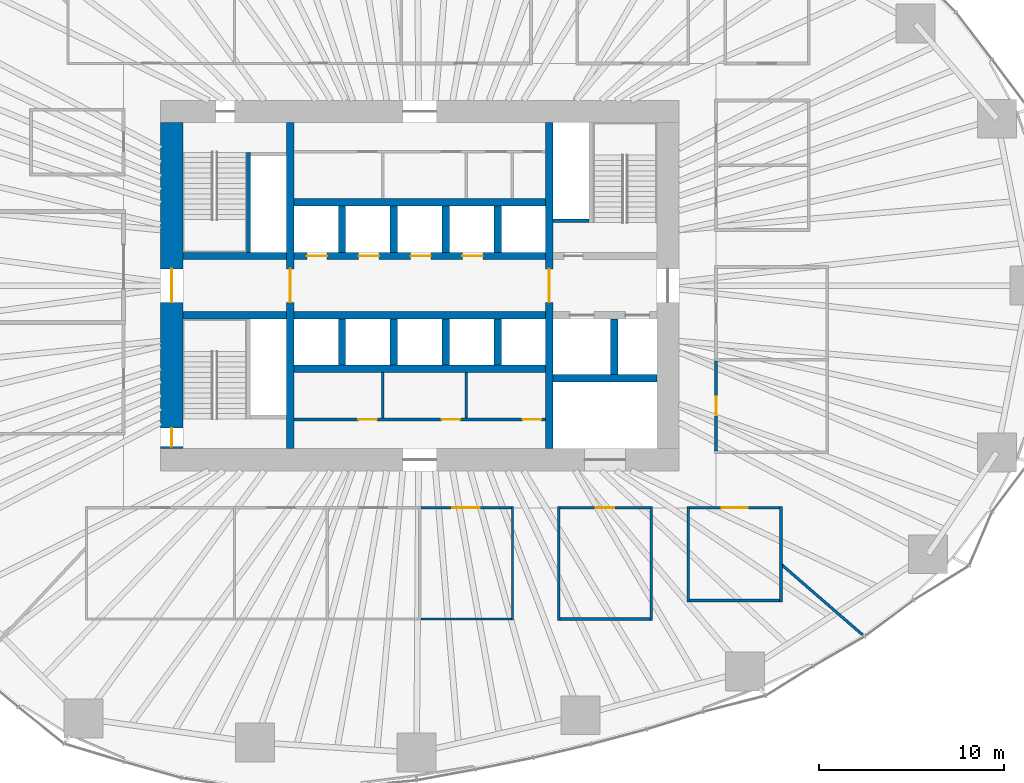
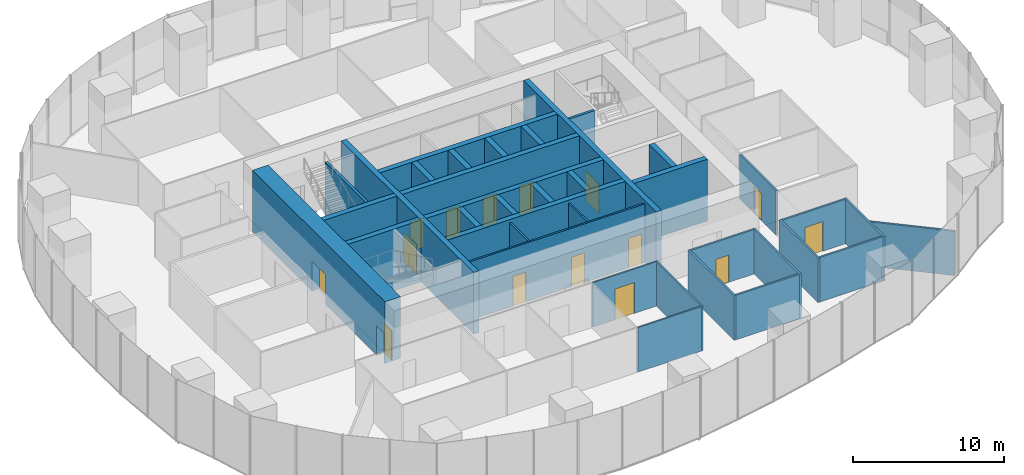
# One storey, part 10 of 20: 37 walls, 15 doors, 15 openings.
"""IFC4 building model written with IfcOpenShell, lengths in metres."""

from ifc_helpers import new_model, si_unit, direction, frame, frame_2d, origin, place, context, subcontext, project, spatial, rectangle, extrude, material, layer, layer_set, type_object, element, fill, save


model = new_model("IFC4")

# Units and contexts
model_context = context("Model", 3, precision=1e-05, world=origin(), true_north=direction((0.0, 1.0)))
body_context = subcontext(model_context, "Body", "Model", "MODEL_VIEW")
ifc_project = project(units=[si_unit("LENGTHUNIT", "METRE"), si_unit("AREAUNIT", "SQUARE_METRE"), si_unit("VOLUMEUNIT", "CUBIC_METRE"), si_unit("PLANEANGLEUNIT", "RADIAN"), si_unit("MASSUNIT", "GRAM", prefix="KILO")], contexts=[model_context])

# Site, building, storey
site_placement = place(None, origin())
site = spatial("IfcSite", under=ifc_project, at=site_placement, CompositionType="ELEMENT")
building_placement = place(site_placement, origin())
building = spatial("IfcBuilding", under=site, at=building_placement, Name="Ghaith Harvest Tower", CompositionType="ELEMENT")
storey_placement = place(building_placement, frame((0.0, 0.0, 20.0)))
storey = spatial("IfcBuildingStorey", under=building, at=storey_placement, Name="L04", CompositionType="ELEMENT", Elevation=20.0)

# Wall, openings, doors
ifc_material_1 = material(Name="Concrete blockwork, fair-faced", Category="masonry")
ifc_layer_1 = layer(ifc_material_1, 0.139892578125)
ifc_layer_set_1 = layer_set([ifc_layer_1], Name="CORE PARTITION 140")
wall_type_1 = type_object("IfcWallType", Name="CORE PARTITION 140", PredefinedType="PARTITIONING", material=ifc_layer_set_1)
wall_1_placement = place(storey_placement, frame((-6.800048828125, -7.22998046875, 0.0), z_axis=(0.0, 0.0, 1.0), x_axis=(1.0, 0.0, 0.0)))
wall_1 = element("IfcWall", 1, at=wall_1_placement, inside=storey, type_object=wall_type_1, Name="Core partition L04", PredefinedType="PARTITIONING", context=body_context, shape_type="SweptSolid", body=[
    extrude(rectangle(XDim=13.60009765625, YDim=0.139892578125, at=frame_2d((6.800048828125, 0.0))), origin(), (0.0, 0.0, 1.0), 4.75),
])
opening_1_placement = place(wall_1_placement, frame((3.47998046875, 0.0, 0.0)))
opening_1 = element("IfcOpeningElement", 2, at=opening_1_placement, cuts=wall_1, Name="Opening 04-012", PredefinedType="OPENING", context=body_context, shape_type="SweptSolid", body=[
    extrude(rectangle(XDim=1.0, YDim=2.39990234375, at=frame_2d((0.5, 1.199951171875))), frame((0.0, 0.080078125, 0.0), z_axis=(0.0, -1.0, 0.0), x_axis=(1.0, 0.0, 0.0)), (0.0, 0.0, 1.0), 0.159912109375),
])
opening_2_placement = place(wall_1_placement, frame((7.97998046875, 0.0, 0.0)))
opening_2 = element("IfcOpeningElement", 3, at=opening_2_placement, cuts=wall_1, Name="Opening 04-013", PredefinedType="OPENING", context=body_context, shape_type="SweptSolid", body=[
    extrude(rectangle(XDim=1.0, YDim=2.39990234375, at=frame_2d((0.5, 1.199951171875))), frame((0.0, 0.080078125, 0.0), z_axis=(0.0, -1.0, 0.0), x_axis=(1.0, 0.0, 0.0)), (0.0, 0.0, 1.0), 0.159912109375),
])
opening_3_placement = place(wall_1_placement, frame((12.35009765625, 0.0, 0.0)))
opening_3 = element("IfcOpeningElement", 4, at=opening_3_placement, cuts=wall_1, Name="Opening 04-014", PredefinedType="OPENING", context=body_context, shape_type="SweptSolid", body=[
    extrude(rectangle(XDim=1.0, YDim=2.39990234375, at=frame_2d((0.5, 1.199951171875))), frame((0.0, 0.080078125, 0.0), z_axis=(0.0, -1.0, 0.0), x_axis=(1.0, 0.0, 0.0)), (0.0, 0.0, 1.0), 0.159912109375),
])
ifc_material_2 = material(Name="Steel fire door", Category="steel")
door_type_1 = type_object("IfcDoorType", Name="D3 FD90 1000x2400", OperationType="SINGLE_SWING_LEFT", PredefinedType="DOOR", material=ifc_material_2)
door_1_placement = place(opening_1_placement, origin())
door_1 = element("IfcDoor", 5, at=door_1_placement, inside=storey, type_object=door_type_1, Name="Electrical room door", OperationType="SINGLE_SWING_LEFT", OverallHeight=2.39990234375, OverallWidth=1.0, PredefinedType="DOOR", context=body_context, shape_type="SweptSolid", body=[
    extrude(rectangle(XDim=1.0, YDim=2.39990234375, at=frame_2d((0.5, 1.199951171875))), frame((0.0, 0.02490234375, 0.0), z_axis=(0.0, -1.0, 0.0), x_axis=(1.0, 0.0, 0.0)), (0.0, 0.0, 1.0), 0.050048828125),
])
fill(opening_1, door_1)
door_2_placement = place(opening_2_placement, origin())
door_2 = element("IfcDoor", 6, at=door_2_placement, inside=storey, type_object=door_type_1, Name="Communications equipment room door", OperationType="SINGLE_SWING_RIGHT", OverallHeight=2.39990234375, OverallWidth=1.0, PredefinedType="DOOR", context=body_context, shape_type="SweptSolid", body=[
    extrude(rectangle(XDim=1.0, YDim=2.39990234375, at=frame_2d((0.5, 1.199951171875))), frame((0.0, 0.02490234375, 0.0), z_axis=(0.0, -1.0, 0.0), x_axis=(1.0, 0.0, 0.0)), (0.0, 0.0, 1.0), 0.050048828125),
])
fill(opening_2, door_2)
door_3_placement = place(opening_3_placement, origin())
door_3 = element("IfcDoor", 7, at=door_3_placement, inside=storey, type_object=door_type_1, Name="Riser room door", OperationType="SINGLE_SWING_RIGHT", OverallHeight=2.39990234375, OverallWidth=1.0, PredefinedType="DOOR", context=body_context, shape_type="SweptSolid", body=[
    extrude(rectangle(XDim=1.0, YDim=2.39990234375, at=frame_2d((0.5, 1.199951171875))), frame((0.0, 0.02490234375, 0.0), z_axis=(0.0, -1.0, 0.0), x_axis=(1.0, 0.0, 0.0)), (0.0, 0.0, 1.0), 0.050048828125),
])
fill(opening_3, door_3)

# Walls
for number, where, z_axis, x_axis, name in (
    (8, (-2.0, -4.699951171875, 0.0), (0.0, 0.0, 1.0), (0.0, -1.0, 0.0), "Core partition L04"),
    (9, (2.5, -4.699951171875, 0.0), (0.0, 0.0, 1.0), (0.0, -1.0, 0.0), "Core partition L04"),
):
    element("IfcWall", number, at=place(storey_placement, frame(where, z_axis=z_axis, x_axis=x_axis)), inside=storey, type_object=wall_type_1, Name=name, PredefinedType="PARTITIONING", context=body_context, shape_type="SweptSolid", body=[
        extrude(rectangle(XDim=2.4599609375, YDim=0.139892578125, at=frame_2d((1.22998046875, 0.0))), origin(), (0.0, 0.0, 1.0), 4.75),
    ])

# Wall, openings, doors
ifc_material_3 = material(Name="Concrete C70/85", Category="concrete")
ifc_layer_2 = layer(ifc_material_3, 1.199951171875)
ifc_layer_set_2 = layer_set([ifc_layer_2], Name="CORE WALL CW1200")
wall_type_2 = type_object("IfcWallType", Name="CORE WALL CW1200", PredefinedType="SHEAR", material=ifc_layer_set_2)
wall_2_placement = place(storey_placement, frame((-13.39990234375, 8.800048828125, 0.0), z_axis=(0.0, 0.0, 1.0), x_axis=(0.0, -1.0, 0.0)))
wall_2 = element("IfcWall", 10, at=wall_2_placement, inside=storey, type_object=wall_type_2, Name="Core wall W L04", PredefinedType="SHEAR", context=body_context, shape_type="SweptSolid", body=[
    extrude(rectangle(XDim=17.60009765625, YDim=1.199951171875, at=frame_2d((8.800048828125, 0.0))), origin(), (0.0, 0.0, 1.0), 5.0),
])
opening_4_placement = place(wall_2_placement, frame((7.89990234375, 0.0, 0.0)))
opening_4 = element("IfcOpeningElement", 11, at=opening_4_placement, cuts=wall_2, Name="Opening 04-001", PredefinedType="OPENING", context=body_context, shape_type="SweptSolid", body=[
    extrude(rectangle(XDim=1.800048828125, YDim=2.39990234375, at=frame_2d((0.89990234375, 1.199951171875))), frame((0.0, 0.60986328125, 0.0), z_axis=(0.0, -1.0, 0.0), x_axis=(1.0, 0.0, 0.0)), (0.0, 0.0, 1.0), 1.219970703125),
])
opening_5_placement = place(wall_2_placement, frame((16.5, 0.0, 0.0)))
opening_5 = element("IfcOpeningElement", 12, at=opening_5_placement, cuts=wall_2, Name="Opening 04-006", PredefinedType="OPENING", context=body_context, shape_type="SweptSolid", body=[
    extrude(rectangle(XDim=1.0, YDim=2.39990234375, at=frame_2d((0.5, 1.199951171875))), frame((0.0, 0.60986328125, 0.0), z_axis=(0.0, -1.0, 0.0), x_axis=(1.0, 0.0, 0.0)), (0.0, 0.0, 1.0), 1.219970703125),
])
door_4_placement = place(opening_5_placement, origin())
door_4 = element("IfcDoor", 13, at=door_4_placement, inside=storey, type_object=door_type_1, Name="Stair ST3 door", OperationType="SINGLE_SWING_RIGHT", OverallHeight=2.39990234375, OverallWidth=1.0, PredefinedType="DOOR", context=body_context, shape_type="SweptSolid", body=[
    extrude(rectangle(XDim=1.0, YDim=2.39990234375, at=frame_2d((0.5, 1.199951171875))), frame((0.0, 0.02490234375, 0.0), z_axis=(0.0, -1.0, 0.0), x_axis=(1.0, 0.0, 0.0)), (0.0, 0.0, 1.0), 0.050048828125),
])
fill(opening_5, door_4)
ifc_material_4 = material(Name="Steel fire door", Category="steel")
door_type_2 = type_object("IfcDoorType", Name="D4 FD90 PAIR 1800x2400", OperationType="DOUBLE_DOOR_SINGLE_SWING", PredefinedType="DOOR", material=ifc_material_4)
door_5_placement = place(opening_4_placement, origin())
door_5 = element("IfcDoor", 14, at=door_5_placement, inside=storey, type_object=door_type_2, Name="West lobby doors", OperationType="DOUBLE_DOOR_SINGLE_SWING", OverallHeight=2.39990234375, OverallWidth=1.800048828125, PredefinedType="DOOR", context=body_context, shape_type="SweptSolid", body=[
    extrude(rectangle(XDim=1.800048828125, YDim=2.39990234375, at=frame_2d((0.89990234375, 1.199951171875))), frame((0.0, 0.02490234375, 0.0), z_axis=(0.0, -1.0, 0.0), x_axis=(1.0, 0.0, 0.0)), (0.0, 0.0, 1.0), 0.050048828125),
])
fill(opening_4, door_5)

# Wall
ifc_material_5 = material(Name="Insulated food-grade panel", Category="steel")
ifc_layer_3 = layer(ifc_material_5, 0.1201171875)
ifc_layer_set_3 = layer_set([ifc_layer_3], Name="INSULATED PANEL WALL 120")
wall_type_3 = type_object("IfcWallType", Name="INSULATED PANEL WALL 120", PredefinedType="PARTITIONING", material=ifc_layer_set_3)
wall_3_placement = place(storey_placement, frame((5.0, -11.93994140625, 0.0), z_axis=(0.0, 0.0, 1.0), x_axis=(0.0, -1.0, 0.0)))
element("IfcWall", 15, at=wall_3_placement, inside=storey, type_object=wall_type_3, Name="Partition L04 row S3 cross wall 5", PredefinedType="PARTITIONING", context=body_context, shape_type="SweptSolid", body=[
    extrude(rectangle(XDim=6.1201171875, YDim=0.1201171875, at=frame_2d((3.06005859375, 0.0))), origin(), (0.0, 0.0, 1.0), 3.60009765625),
])

# Wall, opening, door
wall_4_placement = place(storey_placement, frame((0.06005859375, -12.0, 0.0), z_axis=(0.0, 0.0, 1.0), x_axis=(1.0, 0.0, 0.0)))
wall_4 = element("IfcWall", 16, at=wall_4_placement, inside=storey, type_object=wall_type_3, Name="Partition L04-08", PredefinedType="PARTITIONING", context=body_context, shape_type="SweptSolid", body=[
    extrude(rectangle(XDim=4.8798828125, YDim=0.1201171875, at=frame_2d((2.43994140625, 0.0))), origin(), (0.0, 0.0, 1.0), 3.60009765625),
])
opening_6_placement = place(wall_4_placement, frame((1.68994140625, 0.0, 0.0)))
opening_6 = element("IfcOpeningElement", 17, at=opening_6_placement, cuts=wall_4, Name="Opening 04-031", PredefinedType="OPENING", context=body_context, shape_type="SweptSolid", body=[
    extrude(rectangle(XDim=1.5, YDim=2.5, at=frame_2d((0.75, 1.25))), frame((0.0, 0.070068359375, 0.0), z_axis=(0.0, -1.0, 0.0), x_axis=(1.0, 0.0, 0.0)), (0.0, 0.0, 1.0), 0.14013671875),
])
ifc_material_6 = material(Name="Insulated steel sliding door", Category="steel")
door_type_3 = type_object("IfcDoorType", Name="D13 COLD STORE SLIDING 1500x2500", OperationType="SLIDING_TO_LEFT", PredefinedType="DOOR", material=ifc_material_6)
door_6_placement = place(opening_6_placement, origin())
door_6 = element("IfcDoor", 18, at=door_6_placement, inside=storey, type_object=door_type_3, Name="Germination room door", OperationType="SLIDING_TO_LEFT", OverallHeight=2.5, OverallWidth=1.5, PredefinedType="DOOR", context=body_context, shape_type="SweptSolid", body=[
    extrude(rectangle(XDim=1.5, YDim=2.5, at=frame_2d((0.75, 1.25))), frame((0.0, 0.02490234375, 0.0), z_axis=(0.0, -1.0, 0.0), x_axis=(1.0, 0.0, 0.0)), (0.0, 0.0, 1.0), 0.050048828125),
])
fill(opening_6, door_6)

# Walls
wall_5_placement = place(storey_placement, frame((0.06005859375, -18.0, 0.0), z_axis=(0.0, 0.0, 1.0), x_axis=(1.0, 0.0, 0.0)))
element("IfcWall", 19, at=wall_5_placement, inside=storey, type_object=wall_type_3, Name="Partition L04-08", PredefinedType="PARTITIONING", context=body_context, shape_type="SweptSolid", body=[
    extrude(rectangle(XDim=4.8798828125, YDim=0.1201171875, at=frame_2d((2.43994140625, 0.0))), origin(), (0.0, 0.0, 1.0), 3.60009765625),
])
ifc_material_7 = material(Name="Gypsum board on steel studs", Category="steel")
ifc_layer_4 = layer(ifc_material_7, 0.14990234375)
ifc_layer_set_4 = layer_set([ifc_layer_4], Name="PARTITION 150")
wall_type_4 = type_object("IfcWallType", Name="PARTITION 150", PredefinedType="PARTITIONING", material=ifc_layer_set_4)
for number, where, z_axis, x_axis, name in (
    (20, (7.5, -11.925048828125, 0.0), (0.0, 0.0, 1.0), (0.0, -1.0, 0.0), "Partition L04 row S4 cross wall 1"),
    (21, (12.5, -11.925048828125, 0.0), (0.0, 0.0, 1.0), (0.0, -1.0, 0.0), "Partition L04 row S4 cross wall 2"),
):
    element("IfcWall", number, at=place(storey_placement, frame(where, z_axis=z_axis, x_axis=x_axis)), inside=storey, type_object=wall_type_4, Name=name, PredefinedType="PARTITIONING", context=body_context, shape_type="SweptSolid", body=[
        extrude(rectangle(XDim=6.14990234375, YDim=0.14990234375, at=frame_2d((3.074951171875, 0.0))), origin(), (0.0, 0.0, 1.0), 3.60009765625),
    ])

# Wall, opening, door
wall_6_placement = place(storey_placement, frame((7.574951171875, -12.0, 0.0), z_axis=(0.0, 0.0, 1.0), x_axis=(1.0, 0.0, 0.0)))
wall_6 = element("IfcWall", 22, at=wall_6_placement, inside=storey, type_object=wall_type_4, Name="Partition L04-09", PredefinedType="PARTITIONING", context=body_context, shape_type="SweptSolid", body=[
    extrude(rectangle(XDim=4.85009765625, YDim=0.14990234375, at=frame_2d((2.425048828125, 0.0))), origin(), (0.0, 0.0, 1.0), 3.60009765625),
])
opening_7_placement = place(wall_6_placement, frame((1.925048828125, 0.0, 0.0)))
opening_7 = element("IfcOpeningElement", 23, at=opening_7_placement, cuts=wall_6, Name="Opening 04-032", PredefinedType="OPENING", context=body_context, shape_type="SweptSolid", body=[
    extrude(rectangle(XDim=1.0, YDim=2.199951171875, at=frame_2d((0.5, 1.10009765625))), frame((0.0, 0.0849609375, 0.0), z_axis=(0.0, -1.0, 0.0), x_axis=(1.0, 0.0, 0.0)), (0.0, 0.0, 1.0), 0.169921875),
])
ifc_material_8 = material(Name="Timber door", Category="wood")
door_type_4 = type_object("IfcDoorType", Name="D1 SINGLE 1000x2200", OperationType="SINGLE_SWING_LEFT", PredefinedType="DOOR", material=ifc_material_8)
door_7_placement = place(opening_7_placement, origin())
door_7 = element("IfcDoor", 24, at=door_7_placement, inside=storey, type_object=door_type_4, Name="Tray store door", OperationType="SINGLE_SWING_LEFT", OverallHeight=2.199951171875, OverallWidth=1.0, PredefinedType="DOOR", context=body_context, shape_type="SweptSolid", body=[
    extrude(rectangle(XDim=1.0, YDim=2.199951171875, at=frame_2d((0.5, 1.10009765625))), frame((0.0, 0.02490234375, 0.0), z_axis=(0.0, -1.0, 0.0), x_axis=(1.0, 0.0, 0.0)), (0.0, 0.0, 1.0), 0.050048828125),
])
fill(opening_7, door_7)

# Wall
wall_7_placement = place(storey_placement, frame((7.574951171875, -18.0, 0.0), z_axis=(0.0, 0.0, 1.0), x_axis=(1.0, 0.0, 0.0)))
element("IfcWall", 25, at=wall_7_placement, inside=storey, type_object=wall_type_4, Name="Partition L04-09", PredefinedType="PARTITIONING", context=body_context, shape_type="SweptSolid", body=[
    extrude(rectangle(XDim=4.85009765625, YDim=0.14990234375, at=frame_2d((2.425048828125, 0.0))), origin(), (0.0, 0.0, 1.0), 3.60009765625),
])

# Wall, opening, door
wall_8_placement = place(storey_placement, frame((16.0, -8.925048828125, 0.0), z_axis=(0.0, 0.0, 1.0), x_axis=(0.0, 1.0, 0.0)))
wall_8 = element("IfcWall", 26, at=wall_8_placement, inside=storey, type_object=wall_type_4, Name="Partition L04-10", PredefinedType="PARTITIONING", context=body_context, shape_type="SweptSolid", body=[
    extrude(rectangle(XDim=4.85009765625, YDim=0.14990234375, at=frame_2d((2.425048828125, 0.0))), origin(), (0.0, 0.0, 1.0), 3.60009765625),
])
opening_8_placement = place(wall_8_placement, frame((1.925048828125, 0.0, 0.0)))
opening_8 = element("IfcOpeningElement", 27, at=opening_8_placement, cuts=wall_8, Name="Opening 04-033", PredefinedType="OPENING", context=body_context, shape_type="SweptSolid", body=[
    extrude(rectangle(XDim=1.0, YDim=2.199951171875, at=frame_2d((0.5, 1.10009765625))), frame((0.0, 0.0849609375, 0.0), z_axis=(0.0, -1.0, 0.0), x_axis=(1.0, 0.0, 0.0)), (0.0, 0.0, 1.0), 0.169921875),
])
door_8_placement = place(opening_8_placement, origin())
door_8 = element("IfcDoor", 28, at=door_8_placement, inside=storey, type_object=door_type_4, Name="Male staff changing room door", OperationType="SINGLE_SWING_LEFT", OverallHeight=2.199951171875, OverallWidth=1.0, PredefinedType="DOOR", context=body_context, shape_type="SweptSolid", body=[
    extrude(rectangle(XDim=1.0, YDim=2.199951171875, at=frame_2d((0.5, 1.10009765625))), frame((0.0, 0.02490234375, 0.0), z_axis=(0.0, -1.0, 0.0), x_axis=(1.0, 0.0, 0.0)), (0.0, 0.0, 1.0), 0.050048828125),
])
fill(opening_8, door_8)

# Walls
for number, where, z_axis, x_axis, name in (
    (29, (14.5, -11.925048828125, 0.0), (0.0, 0.0, 1.0), (0.0, -1.0, 0.0), "Partition L04 row S8 cross wall 1"),
    (30, (19.5, -11.925048828125, 0.0), (0.0, 0.0, 1.0), (0.0, -1.0, 0.0), "Partition L04 row S8 cross wall 2"),
):
    element("IfcWall", number, at=place(storey_placement, frame(where, z_axis=z_axis, x_axis=x_axis)), inside=storey, type_object=wall_type_4, Name=name, PredefinedType="PARTITIONING", context=body_context, shape_type="SweptSolid", body=[
        extrude(rectangle(XDim=5.14990234375, YDim=0.14990234375, at=frame_2d((2.574951171875, 0.0))), origin(), (0.0, 0.0, 1.0), 3.60009765625),
    ])

# Wall, opening, door
wall_9_placement = place(storey_placement, frame((14.574951171875, -12.0, 0.0), z_axis=(0.0, 0.0, 1.0), x_axis=(1.0, 0.0, 0.0)))
wall_9 = element("IfcWall", 31, at=wall_9_placement, inside=storey, type_object=wall_type_4, Name="Partition L04-15", PredefinedType="PARTITIONING", context=body_context, shape_type="SweptSolid", body=[
    extrude(rectangle(XDim=4.85009765625, YDim=0.14990234375, at=frame_2d((2.425048828125, 0.0))), origin(), (0.0, 0.0, 1.0), 3.60009765625),
])
opening_9_placement = place(wall_9_placement, frame((1.72509765625, 0.0, 0.0)))
opening_9 = element("IfcOpeningElement", 32, at=opening_9_placement, cuts=wall_9, Name="Opening 04-038", PredefinedType="OPENING", context=body_context, shape_type="SweptSolid", body=[
    extrude(rectangle(XDim=1.39990234375, YDim=2.39990234375, at=frame_2d((0.699951171875, 1.199951171875))), frame((0.0, 0.0849609375, 0.0), z_axis=(0.0, -1.0, 0.0), x_axis=(1.0, 0.0, 0.0)), (0.0, 0.0, 1.0), 0.169921875),
])
ifc_material_9 = material(Name="Stainless steel faced door pair", Category="steel")
door_type_5 = type_object("IfcDoorType", Name="D14 HYGIENE PAIR 1400x2400", OperationType="DOUBLE_DOOR_DOUBLE_SWING", PredefinedType="DOOR", material=ifc_material_9)
door_9_placement = place(opening_9_placement, origin())
door_9 = element("IfcDoor", 33, at=door_9_placement, inside=storey, type_object=door_type_5, Name="Trolley store door", OperationType="DOUBLE_DOOR_DOUBLE_SWING", OverallHeight=2.39990234375, OverallWidth=1.39990234375, PredefinedType="DOOR", context=body_context, shape_type="SweptSolid", body=[
    extrude(rectangle(XDim=1.39990234375, YDim=2.39990234375, at=frame_2d((0.699951171875, 1.199951171875))), frame((0.0, 0.02490234375, 0.0), z_axis=(0.0, -1.0, 0.0), x_axis=(1.0, 0.0, 0.0)), (0.0, 0.0, 1.0), 0.050048828125),
])
fill(opening_9, door_9)

# Walls
wall_10_placement = place(storey_placement, frame((14.574951171875, -17.0, 0.0), z_axis=(0.0, 0.0, 1.0), x_axis=(1.0, 0.0, 0.0)))
element("IfcWall", 34, at=wall_10_placement, inside=storey, type_object=wall_type_4, Name="Partition L04-15", PredefinedType="PARTITIONING", context=body_context, shape_type="SweptSolid", body=[
    extrude(rectangle(XDim=4.85009765625, YDim=0.14990234375, at=frame_2d((2.425048828125, 0.0))), origin(), (0.0, 0.0, 1.0), 3.60009765625),
])
wall_11_placement = place(storey_placement, frame((19.52001953125, -15.052978515625, 0.0), z_axis=(0.0, 0.0, 1.0), x_axis=(0.755428315431, -0.655231302858, 0.0)))
element("IfcWall", 35, at=wall_11_placement, inside=storey, type_object=wall_type_4, Name="Partition L04 zone division", PredefinedType="PARTITIONING", context=body_context, shape_type="SweptSolid", body=[
    extrude(rectangle(XDim=5.808837890625, YDim=0.14990234375, at=frame_2d((2.904296875, 0.0))), origin(), (0.0, 0.0, 1.0), 3.60009765625),
])

# Wall, opening, door
ifc_material_10 = material(Name="Concrete C70/85", Category="concrete")
ifc_layer_5 = layer(ifc_material_10, 0.39990234375)
ifc_layer_set_5 = layer_set([ifc_layer_5], Name="SHAFT WALL 400")
wall_type_5 = type_object("IfcWallType", Name="SHAFT WALL 400", PredefinedType="SHEAR", material=ifc_layer_set_5)
wall_12_placement = place(storey_placement, frame((-7.0, -8.800048828125, 0.0), z_axis=(0.0, 0.0, 1.0), x_axis=(0.0, 1.0, 0.0)))
wall_12 = element("IfcWall", 36, at=wall_12_placement, inside=storey, type_object=wall_type_5, Name="Shaft wall W7W L04", PredefinedType="SHEAR", context=body_context, shape_type="SweptSolid", body=[
    extrude(rectangle(XDim=17.60009765625, YDim=0.39990234375, at=frame_2d((8.800048828125, 0.0))), origin(), (0.0, 0.0, 1.0), 5.0),
])
opening_10_placement = place(wall_12_placement, frame((7.89990234375, 0.0, 0.0)))
opening_10 = element("IfcOpeningElement", 37, at=opening_10_placement, cuts=wall_12, Name="Opening 04-003", PredefinedType="OPENING", context=body_context, shape_type="SweptSolid", body=[
    extrude(rectangle(XDim=1.800048828125, YDim=2.39990234375, at=frame_2d((0.89990234375, 1.199951171875))), frame((0.0, 0.2099609375, 0.0), z_axis=(0.0, -1.0, 0.0), x_axis=(1.0, 0.0, 0.0)), (0.0, 0.0, 1.0), 0.419921875),
])
door_10_placement = place(opening_10_placement, origin())
door_10 = element("IfcDoor", 38, at=door_10_placement, inside=storey, type_object=door_type_2, Name="Lift lobby doors, west", OperationType="DOUBLE_DOOR_SINGLE_SWING", OverallHeight=2.39990234375, OverallWidth=1.800048828125, PredefinedType="DOOR", context=body_context, shape_type="SweptSolid", body=[
    extrude(rectangle(XDim=1.800048828125, YDim=2.39990234375, at=frame_2d((0.89990234375, 1.199951171875))), frame((0.0, 0.02490234375, 0.0), z_axis=(0.0, -1.0, 0.0), x_axis=(1.0, 0.0, 0.0)), (0.0, 0.0, 1.0), 0.050048828125),
])
fill(opening_10, door_10)

wall_13_placement = place(storey_placement, frame((7.0, -8.800048828125, 0.0), z_axis=(0.0, 0.0, 1.0), x_axis=(0.0, 1.0, 0.0)))
wall_13 = element("IfcWall", 39, at=wall_13_placement, inside=storey, type_object=wall_type_5, Name="Shaft wall W7E L04", PredefinedType="SHEAR", context=body_context, shape_type="SweptSolid", body=[
    extrude(rectangle(XDim=17.60009765625, YDim=0.39990234375, at=frame_2d((8.800048828125, 0.0))), origin(), (0.0, 0.0, 1.0), 5.0),
])
opening_11_placement = place(wall_13_placement, frame((7.89990234375, 0.0, 0.0)))
opening_11 = element("IfcOpeningElement", 40, at=opening_11_placement, cuts=wall_13, Name="Opening 04-004", PredefinedType="OPENING", context=body_context, shape_type="SweptSolid", body=[
    extrude(rectangle(XDim=1.800048828125, YDim=2.39990234375, at=frame_2d((0.89990234375, 1.199951171875))), frame((0.0, 0.2099609375, 0.0), z_axis=(0.0, -1.0, 0.0), x_axis=(1.0, 0.0, 0.0)), (0.0, 0.0, 1.0), 0.419921875),
])
door_11_placement = place(opening_11_placement, origin())
door_11 = element("IfcDoor", 41, at=door_11_placement, inside=storey, type_object=door_type_2, Name="Lift lobby doors, east", OperationType="DOUBLE_DOOR_SINGLE_SWING", OverallHeight=2.39990234375, OverallWidth=1.800048828125, PredefinedType="DOOR", context=body_context, shape_type="SweptSolid", body=[
    extrude(rectangle(XDim=1.800048828125, YDim=2.39990234375, at=frame_2d((0.89990234375, 1.199951171875))), frame((0.0, 0.02490234375, 0.0), z_axis=(0.0, -1.0, 0.0), x_axis=(1.0, 0.0, 0.0)), (0.0, 0.0, 1.0), 0.050048828125),
])
fill(opening_11, door_11)

# Wall, openings, doors
wall_14_placement = place(storey_placement, frame((-6.800048828125, 1.60009765625, 0.0), z_axis=(0.0, 0.0, 1.0), x_axis=(1.0, 0.0, 0.0)))
wall_14 = element("IfcWall", 42, at=wall_14_placement, inside=storey, type_object=wall_type_5, Name="Shaft wall LN L04", PredefinedType="SHEAR", context=body_context, shape_type="SweptSolid", body=[
    extrude(rectangle(XDim=13.60009765625, YDim=0.39990234375, at=frame_2d((6.800048828125, 0.0))), origin(), (0.0, 0.0, 1.0), 5.0),
])
opening_12_placement = place(wall_14_placement, frame((0.699951171875, 0.0, 0.0)))
opening_12 = element("IfcOpeningElement", 43, at=opening_12_placement, cuts=wall_14, Name="Opening 04-017", PredefinedType="OPENING", context=body_context, shape_type="SweptSolid", body=[
    extrude(rectangle(XDim=1.10009765625, YDim=2.39990234375, at=frame_2d((0.550048828125, 1.199951171875))), frame((0.0, 0.2099609375, 0.0), z_axis=(0.0, -1.0, 0.0), x_axis=(1.0, 0.0, 0.0)), (0.0, 0.0, 1.0), 0.419921875),
])
opening_13_placement = place(wall_14_placement, frame((3.5, 0.0, 0.0)))
opening_13 = element("IfcOpeningElement", 44, at=opening_13_placement, cuts=wall_14, Name="Opening 04-018", PredefinedType="OPENING", context=body_context, shape_type="SweptSolid", body=[
    extrude(rectangle(XDim=1.10009765625, YDim=2.39990234375, at=frame_2d((0.550048828125, 1.199951171875))), frame((0.0, 0.2099609375, 0.0), z_axis=(0.0, -1.0, 0.0), x_axis=(1.0, 0.0, 0.0)), (0.0, 0.0, 1.0), 0.419921875),
])
opening_14_placement = place(wall_14_placement, frame((6.300048828125, 0.0, 0.0)))
opening_14 = element("IfcOpeningElement", 45, at=opening_14_placement, cuts=wall_14, Name="Opening 04-019", PredefinedType="OPENING", context=body_context, shape_type="SweptSolid", body=[
    extrude(rectangle(XDim=1.10009765625, YDim=2.39990234375, at=frame_2d((0.550048828125, 1.199951171875))), frame((0.0, 0.2099609375, 0.0), z_axis=(0.0, -1.0, 0.0), x_axis=(1.0, 0.0, 0.0)), (0.0, 0.0, 1.0), 0.419921875),
])
opening_15_placement = place(wall_14_placement, frame((9.10009765625, 0.0, 0.0)))
opening_15 = element("IfcOpeningElement", 46, at=opening_15_placement, cuts=wall_14, Name="Opening 04-020", PredefinedType="OPENING", context=body_context, shape_type="SweptSolid", body=[
    extrude(rectangle(XDim=1.10009765625, YDim=2.39990234375, at=frame_2d((0.550048828125, 1.199951171875))), frame((0.0, 0.2099609375, 0.0), z_axis=(0.0, -1.0, 0.0), x_axis=(1.0, 0.0, 0.0)), (0.0, 0.0, 1.0), 0.419921875),
])
ifc_material_11 = material(Name="Steel fire door", Category="steel")
door_type_6 = type_object("IfcDoorType", Name="LD1 LANDING 1100x2400", OperationType="DOUBLE_DOOR_SLIDING", PredefinedType="DOOR", material=ifc_material_11)
door_12_placement = place(opening_12_placement, origin())
door_12 = element("IfcDoor", 47, at=door_12_placement, inside=storey, type_object=door_type_6, Name="Landing door, lift FA1", OperationType="DOUBLE_DOOR_SLIDING", OverallHeight=2.39990234375, OverallWidth=1.10009765625, PredefinedType="DOOR", context=body_context, shape_type="SweptSolid", body=[
    extrude(rectangle(XDim=1.10009765625, YDim=2.39990234375, at=frame_2d((0.550048828125, 1.199951171875))), frame((0.0, 0.02490234375, 0.0), z_axis=(0.0, -1.0, 0.0), x_axis=(1.0, 0.0, 0.0)), (0.0, 0.0, 1.0), 0.050048828125),
])
fill(opening_12, door_12)
door_13_placement = place(opening_13_placement, origin())
door_13 = element("IfcDoor", 48, at=door_13_placement, inside=storey, type_object=door_type_6, Name="Landing door, lift FA2", OperationType="DOUBLE_DOOR_SLIDING", OverallHeight=2.39990234375, OverallWidth=1.10009765625, PredefinedType="DOOR", context=body_context, shape_type="SweptSolid", body=[
    extrude(rectangle(XDim=1.10009765625, YDim=2.39990234375, at=frame_2d((0.550048828125, 1.199951171875))), frame((0.0, 0.02490234375, 0.0), z_axis=(0.0, -1.0, 0.0), x_axis=(1.0, 0.0, 0.0)), (0.0, 0.0, 1.0), 0.050048828125),
])
fill(opening_13, door_13)
door_14_placement = place(opening_14_placement, origin())
door_14 = element("IfcDoor", 49, at=door_14_placement, inside=storey, type_object=door_type_6, Name="Landing door, lift FA3", OperationType="DOUBLE_DOOR_SLIDING", OverallHeight=2.39990234375, OverallWidth=1.10009765625, PredefinedType="DOOR", context=body_context, shape_type="SweptSolid", body=[
    extrude(rectangle(XDim=1.10009765625, YDim=2.39990234375, at=frame_2d((0.550048828125, 1.199951171875))), frame((0.0, 0.02490234375, 0.0), z_axis=(0.0, -1.0, 0.0), x_axis=(1.0, 0.0, 0.0)), (0.0, 0.0, 1.0), 0.050048828125),
])
fill(opening_14, door_14)
door_15_placement = place(opening_15_placement, origin())
door_15 = element("IfcDoor", 50, at=door_15_placement, inside=storey, type_object=door_type_6, Name="Landing door, lift FA4", OperationType="DOUBLE_DOOR_SLIDING", OverallHeight=2.39990234375, OverallWidth=1.10009765625, PredefinedType="DOOR", context=body_context, shape_type="SweptSolid", body=[
    extrude(rectangle(XDim=1.10009765625, YDim=2.39990234375, at=frame_2d((0.550048828125, 1.199951171875))), frame((0.0, 0.02490234375, 0.0), z_axis=(0.0, -1.0, 0.0), x_axis=(1.0, 0.0, 0.0)), (0.0, 0.0, 1.0), 0.050048828125),
])
fill(opening_15, door_15)

# Walls
for number, where, z_axis, x_axis, name in (
    (51, (-6.800048828125, -1.60009765625, 0.0), (0.0, 0.0, 1.0), (1.0, 0.0, 0.0), "Shaft wall LS L04"),
    (52, (-6.800048828125, 4.5, 0.0), (0.0, 0.0, 1.0), (1.0, 0.0, 0.0), "Shaft wall BN L04"),
    (53, (-6.800048828125, -4.5, 0.0), (0.0, 0.0, 1.0), (1.0, 0.0, 0.0), "Shaft wall BS L04"),
):
    element("IfcWall", number, at=place(storey_placement, frame(where, z_axis=z_axis, x_axis=x_axis)), inside=storey, type_object=wall_type_5, Name=name, PredefinedType="SHEAR", context=body_context, shape_type="SweptSolid", body=[
        extrude(rectangle(XDim=13.60009765625, YDim=0.39990234375, at=frame_2d((6.800048828125, 0.0))), origin(), (0.0, 0.0, 1.0), 5.0),
    ])
for number, where, z_axis, x_axis, name in (
    (54, (-12.800048828125, 1.60009765625, 0.0), (0.0, 0.0, 1.0), (1.0, 0.0, 0.0), "Shaft wall WN L04"),
    (55, (-12.800048828125, -1.60009765625, 0.0), (0.0, 0.0, 1.0), (1.0, 0.0, 0.0), "Shaft wall WS L04"),
):
    element("IfcWall", number, at=place(storey_placement, frame(where, z_axis=z_axis, x_axis=x_axis)), inside=storey, type_object=wall_type_5, Name=name, PredefinedType="SHEAR", context=body_context, shape_type="SweptSolid", body=[
        extrude(rectangle(XDim=5.60009765625, YDim=0.39990234375, at=frame_2d((2.800048828125, 0.0))), origin(), (0.0, 0.0, 1.0), 5.0),
    ])
wall_15_placement = place(storey_placement, frame((10.5, -4.800048828125, 0.0), z_axis=(0.0, 0.0, 1.0), x_axis=(0.0, 1.0, 0.0)))
element("IfcWall", 56, at=wall_15_placement, inside=storey, type_object=wall_type_5, Name="Shaft wall FLD L04", PredefinedType="SHEAR", context=body_context, shape_type="SweptSolid", body=[
    extrude(rectangle(XDim=3.0, YDim=0.39990234375, at=frame_2d((1.5, 0.0))), origin(), (0.0, 0.0, 1.0), 5.0),
])
wall_16_placement = place(storey_placement, frame((7.199951171875, -5.0, 0.0), z_axis=(0.0, 0.0, 1.0), x_axis=(1.0, 0.0, 0.0)))
element("IfcWall", 57, at=wall_16_placement, inside=storey, type_object=wall_type_5, Name="Shaft wall FLB L04", PredefinedType="SHEAR", context=body_context, shape_type="SweptSolid", body=[
    extrude(rectangle(XDim=5.60009765625, YDim=0.39990234375, at=frame_2d((2.800048828125, 0.0))), origin(), (0.0, 0.0, 1.0), 5.0),
])
for number, where, z_axis, x_axis, name in (
    (58, (-4.199951171875, 1.800048828125, 0.0), (0.0, 0.0, 1.0), (0.0, 1.0, 0.0), "Shaft wall DN1 L04"),
    (59, (-4.199951171875, -4.300048828125, 0.0), (0.0, 0.0, 1.0), (0.0, 1.0, 0.0), "Shaft wall DS1 L04"),
    (60, (-1.39990234375, 1.800048828125, 0.0), (0.0, 0.0, 1.0), (0.0, 1.0, 0.0), "Shaft wall DN2 L04"),
    (61, (-1.39990234375, -4.300048828125, 0.0), (0.0, 0.0, 1.0), (0.0, 1.0, 0.0), "Shaft wall DS2 L04"),
    (62, (1.39990234375, 1.800048828125, 0.0), (0.0, 0.0, 1.0), (0.0, 1.0, 0.0), "Shaft wall DN3 L04"),
    (63, (1.39990234375, -4.300048828125, 0.0), (0.0, 0.0, 1.0), (0.0, 1.0, 0.0), "Shaft wall DS3 L04"),
    (64, (4.199951171875, 1.800048828125, 0.0), (0.0, 0.0, 1.0), (0.0, 1.0, 0.0), "Shaft wall DN4 L04"),
    (65, (4.199951171875, -4.300048828125, 0.0), (0.0, 0.0, 1.0), (0.0, 1.0, 0.0), "Shaft wall DS4 L04"),
):
    element("IfcWall", number, at=place(storey_placement, frame(where, z_axis=z_axis, x_axis=x_axis)), inside=storey, type_object=wall_type_5, Name=name, PredefinedType="SHEAR", context=body_context, shape_type="SweptSolid", body=[
        extrude(rectangle(XDim=2.5, YDim=0.39990234375, at=frame_2d((1.25, 0.0))), origin(), (0.0, 0.0, 1.0), 5.0),
    ])
ifc_material_12 = material(Name="Concrete C40/50", Category="concrete")
ifc_layer_6 = layer(ifc_material_12, 0.199951171875)
ifc_layer_set_6 = layer_set([ifc_layer_6], Name="STAIR SPINE WALL RC200")
wall_type_6 = type_object("IfcWallType", Name="STAIR SPINE WALL RC200", PredefinedType="SOLIDWALL", material=ifc_layer_set_6)
wall_17_placement = place(storey_placement, frame((-9.25, 7.199951171875, 0.0), z_axis=(0.0, 0.0, 1.0), x_axis=(0.0, -1.0, 0.0)))
element("IfcWall", 66, at=wall_17_placement, inside=storey, type_object=wall_type_6, Name="Stair ST1 spine wall L04", PredefinedType="SOLIDWALL", context=body_context, shape_type="SweptSolid", body=[
    extrude(rectangle(XDim=5.39990234375, YDim=0.199951171875, at=frame_2d((2.699951171875, 0.0))), origin(), (0.0, 0.0, 1.0), 5.0),
])
wall_18_placement = place(storey_placement, frame((9.14990234375, 3.5, 0.0), z_axis=(0.0, 0.0, 1.0), x_axis=(-1.0, 0.0, 0.0)))
element("IfcWall", 67, at=wall_18_placement, inside=storey, type_object=wall_type_6, Name="Stair ST2 spine wall return L04", PredefinedType="SOLIDWALL", context=body_context, shape_type="SweptSolid", body=[
    extrude(rectangle(XDim=1.949951171875, YDim=0.199951171875, at=frame_2d((0.97509765625, 0.0))), origin(), (0.0, 0.0, 1.0), 5.0),
])

save(model, "model.ifc")
